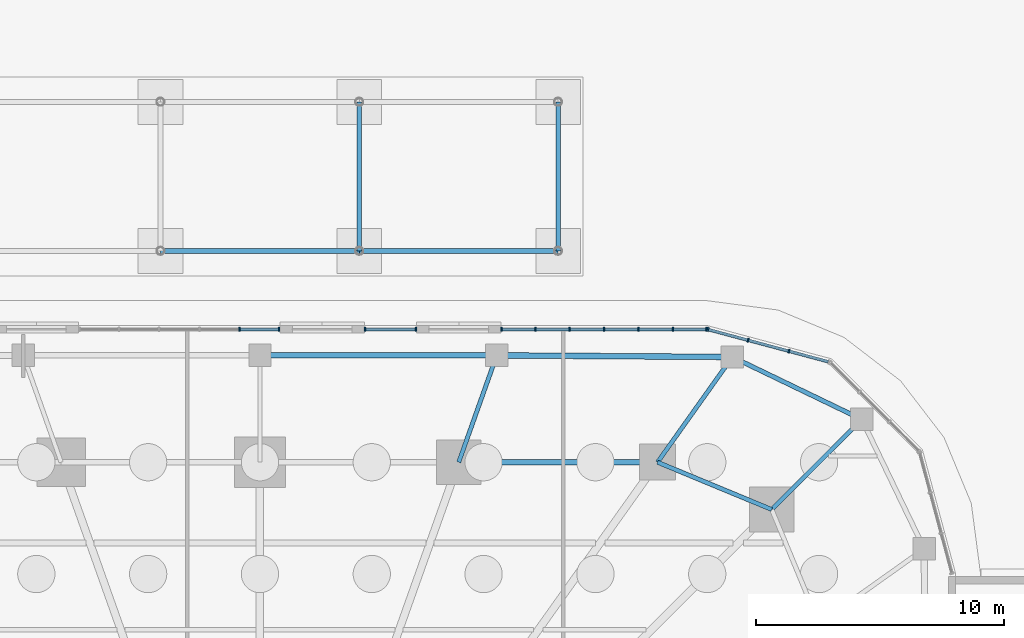
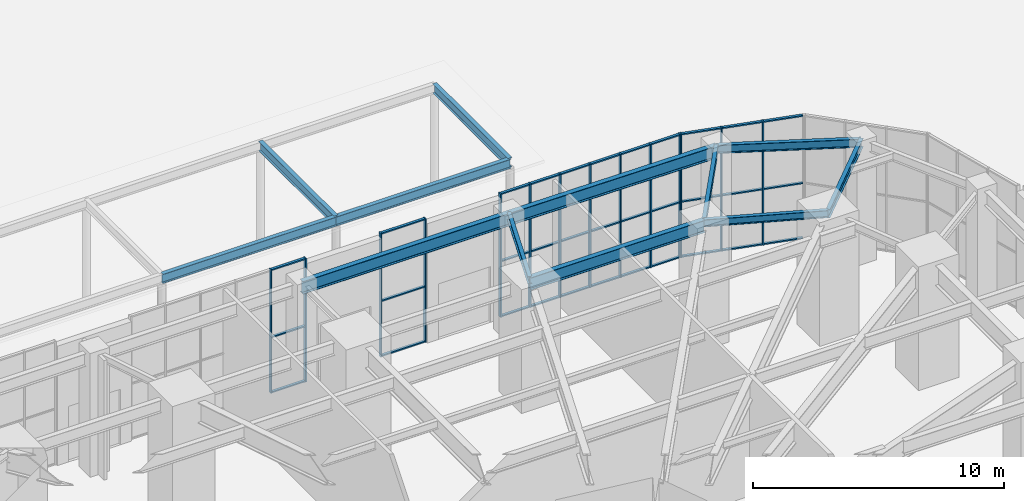
# One storey, part 17 of 43: 47 members, 12 beams, 4 elements without a shape of their own.
"""IFC4 building model written with IfcOpenShell, lengths in metres."""

from ifc_helpers import new_model, si_unit, direction, frame, origin, origin_2d, place, context, subcontext, project, spatial, rectangle, i_section, extrude, material, material_profile, profile_set, type_object, element, aggregate, save


model = new_model("IFC4")

# Units and contexts
model_context = context("Model", 3, precision=1e-05, world=origin(), true_north=direction((0.0, 1.0)))
body_context = subcontext(model_context, "Body", "Model", "MODEL_VIEW")
ifc_project = project(units=[si_unit("LENGTHUNIT", "METRE"), si_unit("AREAUNIT", "SQUARE_METRE"), si_unit("VOLUMEUNIT", "CUBIC_METRE"), si_unit("PLANEANGLEUNIT", "RADIAN"), si_unit("MASSUNIT", "GRAM", prefix="KILO")], contexts=[model_context])

# Site, building, storey
site_placement = place(None, origin())
site = spatial("IfcSite", under=ifc_project, at=site_placement, CompositionType="ELEMENT")
building_placement = place(site_placement, origin())
building = spatial("IfcBuilding", under=site, at=building_placement, Name="Nakasero Lantern House", CompositionType="ELEMENT")
storey_placement = place(building_placement, origin())
storey = spatial("IfcBuildingStorey", under=building, at=storey_placement, Name="L00", CompositionType="ELEMENT", Elevation=0.0)

# Beams
ifc_material_1 = material(Name="Steel S355", Category="steel")
ifc_material_profile_1 = material_profile(ifc_material_1, i_section(OverallWidth=0.18994140625, OverallDepth=0.453369140625, WebThickness=0.008544921875, FlangeThickness=0.0126953125, FilletRadius=0.01025390625, at=origin_2d()), Name="UB 457x191x67")
ifc_profile_set_1 = profile_set([ifc_material_profile_1], Name="Steel S355")
beam_type_1 = type_object("IfcBeamType", Name="Canopy beam UB 457x191x67", PredefinedType="BEAM", material=ifc_profile_set_1)
for number, where, z_axis, x_axis, name in (
    (1, (4.0, 31.0, 4.773193359375), (0.0, 1.0, 0.0), (-1.0, 0.0, 0.0), "Canopy beam 3"),
    (2, (12.0, 31.0, 4.773193359375), (0.0, 1.0, 0.0), (-1.0, 0.0, 0.0), "Canopy beam 4"),
):
    element("IfcBeam", number, at=place(storey_placement, frame(where, z_axis=z_axis, x_axis=x_axis)), inside=storey, type_object=beam_type_1, Name=name, PredefinedType="BEAM", context=body_context, shape_type="SweptSolid", body=[
        extrude(i_section(OverallWidth=0.18994140625, OverallDepth=0.453369140625, WebThickness=0.008544921875, FlangeThickness=0.0126953125, FilletRadius=0.01025390625, at=origin_2d()), origin(), (0.0, 0.0, 1.0), 6.0),
    ])
for number, where, z_axis, x_axis, name in (
    (3, (-4.0, 31.0, 4.773193359375), (1.0, 0.0, 0.0), (0.0, 1.0, 0.0), "Canopy edge beam 1.2"),
    (4, (4.0, 31.0, 4.773193359375), (1.0, 0.0, 0.0), (0.0, 1.0, 0.0), "Canopy edge beam 1.3"),
):
    element("IfcBeam", number, at=place(storey_placement, frame(where, z_axis=z_axis, x_axis=x_axis)), inside=storey, type_object=beam_type_1, Name=name, PredefinedType="BEAM", context=body_context, shape_type="SweptSolid", body=[
        extrude(i_section(OverallWidth=0.18994140625, OverallDepth=0.453369140625, WebThickness=0.008544921875, FlangeThickness=0.0126953125, FilletRadius=0.01025390625, at=origin_2d()), origin(), (0.0, 0.0, 1.0), 8.0),
    ])

# Curtain wall, members
ifc_material_2 = material(Name="Aluminium 6063-T6 and glass", Category="aluminium")
curtain_wall_type = type_object("IfcCurtainWallType", Name="Podium shopfront glazing CW-1", PredefinedType="USERDEFINED", material=ifc_material_2)
curtain_wall_1_placement = place(storey_placement, origin())
curtain_wall_1 = element("IfcCurtainWall", 5, at=curtain_wall_1_placement, inside=storey, type_object=curtain_wall_type, Name="Curtain wall CW-1 L00", ObjectType="STICK CURTAIN WALL", PredefinedType="USERDEFINED")
ifc_material_3 = material(Name="Aluminium 6063-T6", Category="aluminium")
ifc_material_profile_2 = material_profile(ifc_material_3, rectangle(XDim=0.06005859375, YDim=0.159912109375, at=origin_2d()), Name="CW-1 mullion 60x160")
ifc_profile_set_2 = profile_set([ifc_material_profile_2], Name="Aluminium 6063-T6")
member_type_1 = type_object("IfcMemberType", Name="Mullion CW-1", PredefinedType="MULLION", material=ifc_profile_set_2)
member_1_placement = place(storey_placement, frame((21.283447265625, 26.97021484375, 0.0), z_axis=(0.0, 0.0, 1.0), x_axis=(-0.965925826289, 0.258819045103, 0.0)))
member_1 = element("IfcMember", 6, at=member_1_placement, type_object=member_type_1, Name="CW-1 mullion 2", PredefinedType="MULLION", context=body_context, shape_type="SweptSolid", body=[
    extrude(rectangle(XDim=0.06005859375, YDim=0.159912109375, at=origin_2d()), origin(), (0.0, 0.0, 1.0), 6.0),
])
member_2_placement = place(storey_placement, frame((19.6416015625, 27.41015625, 0.0), z_axis=(0.0, 0.0, 1.0), x_axis=(-0.965925826289, 0.258819045103, 0.0)))
member_2 = element("IfcMember", 7, at=member_2_placement, type_object=member_type_1, Name="CW-1 mullion 3", PredefinedType="MULLION", context=body_context, shape_type="SweptSolid", body=[
    extrude(rectangle(XDim=0.06005859375, YDim=0.159912109375, at=origin_2d()), origin(), (0.0, 0.0, 1.0), 6.0),
])
member_3_placement = place(storey_placement, frame((18.029052734375, 27.84228515625, 0.0), z_axis=(0.0, 0.0, 1.0), x_axis=(-0.965925826289, 0.258819045103, 0.0)))
member_3 = element("IfcMember", 8, at=member_3_placement, type_object=member_type_1, Name="CW-1 mullion 4", PredefinedType="MULLION", context=body_context, shape_type="SweptSolid", body=[
    extrude(rectangle(XDim=0.06005859375, YDim=0.159912109375, at=origin_2d()), origin(), (0.0, 0.0, 1.0), 6.0),
])

curtain_wall_2_placement = place(storey_placement, origin())
curtain_wall_2 = element("IfcCurtainWall", 9, at=curtain_wall_2_placement, inside=storey, type_object=curtain_wall_type, Name="Curtain wall CW-1 L00", ObjectType="STICK CURTAIN WALL", PredefinedType="USERDEFINED")
member_4_placement = place(storey_placement, frame((17.969970703125, 27.85009765625, 0.0), z_axis=(0.0, 0.0, 1.0), x_axis=(-1.0, 0.0, 0.0)))
member_4 = element("IfcMember", 10, at=member_4_placement, type_object=member_type_1, Name="CW-1 mullion 1", PredefinedType="MULLION", context=body_context, shape_type="SweptSolid", body=[
    extrude(rectangle(XDim=0.06005859375, YDim=0.159912109375, at=origin_2d()), origin(), (0.0, 0.0, 1.0), 6.0),
])
member_5_placement = place(storey_placement, frame((16.61669921875, 27.85009765625, 0.0), z_axis=(0.0, 0.0, 1.0), x_axis=(-1.0, 0.0, 0.0)))
member_5 = element("IfcMember", 11, at=member_5_placement, type_object=member_type_1, Name="CW-1 mullion 2", PredefinedType="MULLION", context=body_context, shape_type="SweptSolid", body=[
    extrude(rectangle(XDim=0.06005859375, YDim=0.159912109375, at=origin_2d()), origin(), (0.0, 0.0, 1.0), 6.0),
])
member_6_placement = place(storey_placement, frame((15.2333984375, 27.85009765625, 0.0), z_axis=(0.0, 0.0, 1.0), x_axis=(-1.0, 0.0, 0.0)))
member_6 = element("IfcMember", 12, at=member_6_placement, type_object=member_type_1, Name="CW-1 mullion 3", PredefinedType="MULLION", context=body_context, shape_type="SweptSolid", body=[
    extrude(rectangle(XDim=0.06005859375, YDim=0.159912109375, at=origin_2d()), origin(), (0.0, 0.0, 1.0), 6.0),
])
member_7_placement = place(storey_placement, frame((13.85009765625, 27.85009765625, 0.0), z_axis=(0.0, 0.0, 1.0), x_axis=(-1.0, 0.0, 0.0)))
member_7 = element("IfcMember", 13, at=member_7_placement, type_object=member_type_1, Name="CW-1 mullion 4", PredefinedType="MULLION", context=body_context, shape_type="SweptSolid", body=[
    extrude(rectangle(XDim=0.06005859375, YDim=0.159912109375, at=origin_2d()), origin(), (0.0, 0.0, 1.0), 6.0),
])
member_8_placement = place(storey_placement, frame((12.466552734375, 27.85009765625, 0.0), z_axis=(0.0, 0.0, 1.0), x_axis=(-1.0, 0.0, 0.0)))
member_8 = element("IfcMember", 14, at=member_8_placement, type_object=member_type_1, Name="CW-1 mullion 5", PredefinedType="MULLION", context=body_context, shape_type="SweptSolid", body=[
    extrude(rectangle(XDim=0.06005859375, YDim=0.159912109375, at=origin_2d()), origin(), (0.0, 0.0, 1.0), 6.0),
])
member_9_placement = place(storey_placement, frame((11.083251953125, 27.85009765625, 0.0), z_axis=(0.0, 0.0, 1.0), x_axis=(-1.0, 0.0, 0.0)))
member_9 = element("IfcMember", 15, at=member_9_placement, type_object=member_type_1, Name="CW-1 mullion 6", PredefinedType="MULLION", context=body_context, shape_type="SweptSolid", body=[
    extrude(rectangle(XDim=0.06005859375, YDim=0.159912109375, at=origin_2d()), origin(), (0.0, 0.0, 1.0), 6.0),
])
member_10_placement = place(storey_placement, frame((9.72998046875, 27.85009765625, 0.0), z_axis=(0.0, 0.0, 1.0), x_axis=(-1.0, 0.0, 0.0)))
member_10 = element("IfcMember", 16, at=member_10_placement, type_object=member_type_1, Name="CW-1 mullion 7", PredefinedType="MULLION", context=body_context, shape_type="SweptSolid", body=[
    extrude(rectangle(XDim=0.06005859375, YDim=0.159912109375, at=origin_2d()), origin(), (0.0, 0.0, 1.0), 6.0),
])

curtain_wall_3_placement = place(storey_placement, origin())
curtain_wall_3 = element("IfcCurtainWall", 17, at=curtain_wall_3_placement, inside=storey, type_object=curtain_wall_type, Name="Curtain wall CW-1 L00", ObjectType="STICK CURTAIN WALL", PredefinedType="USERDEFINED")
member_11_placement = place(storey_placement, frame((6.27001953125, 27.85009765625, 0.0), z_axis=(0.0, 0.0, 1.0), x_axis=(-1.0, 0.0, 0.0)))
member_11 = element("IfcMember", 18, at=member_11_placement, type_object=member_type_1, Name="CW-1 mullion 1", PredefinedType="MULLION", context=body_context, shape_type="SweptSolid", body=[
    extrude(rectangle(XDim=0.06005859375, YDim=0.159912109375, at=origin_2d()), origin(), (0.0, 0.0, 1.0), 6.0),
])
member_12_placement = place(storey_placement, frame((4.22998046875, 27.85009765625, 0.0), z_axis=(0.0, 0.0, 1.0), x_axis=(-1.0, 0.0, 0.0)))
member_12 = element("IfcMember", 19, at=member_12_placement, type_object=member_type_1, Name="CW-1 mullion 2", PredefinedType="MULLION", context=body_context, shape_type="SweptSolid", body=[
    extrude(rectangle(XDim=0.06005859375, YDim=0.159912109375, at=origin_2d()), origin(), (0.0, 0.0, 1.0), 6.0),
])

curtain_wall_4_placement = place(storey_placement, origin())
curtain_wall_4 = element("IfcCurtainWall", 20, at=curtain_wall_4_placement, inside=storey, type_object=curtain_wall_type, Name="Curtain wall CW-1 L00", ObjectType="STICK CURTAIN WALL", PredefinedType="USERDEFINED")
member_13_placement = place(storey_placement, frame((0.77001953125, 27.85009765625, 0.0), z_axis=(0.0, 0.0, 1.0), x_axis=(-1.0, 0.0, 0.0)))
member_13 = element("IfcMember", 21, at=member_13_placement, type_object=member_type_1, Name="CW-1 mullion 1", PredefinedType="MULLION", context=body_context, shape_type="SweptSolid", body=[
    extrude(rectangle(XDim=0.06005859375, YDim=0.159912109375, at=origin_2d()), origin(), (0.0, 0.0, 1.0), 6.0),
])
member_14_placement = place(storey_placement, frame((-0.820068359375, 27.85009765625, 0.0), z_axis=(0.0, 0.0, 1.0), x_axis=(-1.0, 0.0, 0.0)))
member_14 = element("IfcMember", 22, at=member_14_placement, type_object=member_type_1, Name="CW-1 mullion 2", PredefinedType="MULLION", context=body_context, shape_type="SweptSolid", body=[
    extrude(rectangle(XDim=0.06005859375, YDim=0.159912109375, at=origin_2d()), origin(), (0.0, 0.0, 1.0), 6.0),
])

# Beams
ifc_material_4 = material(Name="Steel S355", Category="steel")
ifc_material_profile_3 = material_profile(ifc_material_4, i_section(OverallWidth=0.17138671875, OverallDepth=0.35498046875, WebThickness=0.00732421875, FlangeThickness=0.011474609375, FilletRadius=0.01025390625, at=origin_2d()), Name="UB 356x171x51")
ifc_profile_set_3 = profile_set([ifc_material_profile_3], Name="Steel S355")
beam_type_2 = type_object("IfcBeamType", Name="Primary beam UB 356x171x51, span to 6 m", PredefinedType="BEAM", material=ifc_profile_set_3)
beam_1_placement = place(storey_placement, frame((19.0107421875, 26.733642578125, 5.62255859375), z_axis=(-0.57954320692, -0.814941514044, 0.0), x_axis=(0.814941514044, -0.57954320692, 0.0)))
element("IfcBeam", 23, at=beam_1_placement, inside=storey, type_object=beam_type_2, Name="Primary beam L01 POD-C07", PredefinedType="BEAM", context=body_context, shape_type="SweptSolid", body=[
    extrude(i_section(OverallWidth=0.17138671875, OverallDepth=0.35498046875, WebThickness=0.00732421875, FlangeThickness=0.011474609375, FilletRadius=0.01025390625, at=origin_2d()), origin(), (0.0, 0.0, 1.0), 5.195068359375),
])
beam_2_placement = place(storey_placement, frame((9.52880859375, 26.800048828125, 5.62255859375), z_axis=(-0.334990670833, -0.942221444489, 0.0), x_axis=(0.942221444489, -0.334990670833, 0.0)))
element("IfcBeam", 24, at=beam_2_placement, inside=storey, type_object=beam_type_2, Name="Primary beam L01 POD-C08", PredefinedType="BEAM", context=body_context, shape_type="SweptSolid", body=[
    extrude(i_section(OverallWidth=0.17138671875, OverallDepth=0.35498046875, WebThickness=0.00732421875, FlangeThickness=0.011474609375, FilletRadius=0.01025390625, at=origin_2d()), origin(), (0.0, 0.0, 1.0), 4.563720703125),
])
ifc_material_5 = material(Name="Steel S355", Category="steel")
ifc_material_profile_4 = material_profile(ifc_material_5, i_section(OverallWidth=0.177978515625, OverallDepth=0.406494140625, WebThickness=0.0078125, FlangeThickness=0.0126953125, FilletRadius=0.01025390625, at=origin_2d()), Name="UB 406x178x60")
ifc_profile_set_4 = profile_set([ifc_material_profile_4], Name="Steel S355")
beam_type_3 = type_object("IfcBeamType", Name="Primary beam UB 406x178x60, span to 6 m", PredefinedType="BEAM", material=ifc_profile_set_4)
beam_3_placement = place(storey_placement, frame((24.22265625, 24.22265625, 5.5966796875), z_axis=(-0.707106781187, -0.707106781187, 0.0), x_axis=(0.707106781187, -0.707106781187, 0.0)))
element("IfcBeam", 25, at=beam_3_placement, inside=storey, type_object=beam_type_3, Name="Primary beam L01 POD-C06", PredefinedType="BEAM", context=body_context, shape_type="SweptSolid", body=[
    extrude(i_section(OverallWidth=0.177978515625, OverallDepth=0.406494140625, WebThickness=0.0078125, FlangeThickness=0.0126953125, FilletRadius=0.01025390625, at=origin_2d()), origin(), (0.0, 0.0, 1.0), 5.128662109375),
])
ifc_material_6 = material(Name="Steel S355", Category="steel")
ifc_material_profile_5 = material_profile(ifc_material_6, i_section(OverallWidth=0.17138671875, OverallDepth=0.35498046875, WebThickness=0.00732421875, FlangeThickness=0.011474609375, FilletRadius=0.01025390625, at=origin_2d()), Name="UB 356x171x51")
ifc_profile_set_5 = profile_set([ifc_material_profile_5], Name="Steel S355")
beam_type_4 = type_object("IfcBeamType", Name="Ring beam UB 356x171x51", PredefinedType="BEAM", material=ifc_profile_set_5)
beam_4_placement = place(storey_placement, frame((20.59619140625, 20.59619140625, 5.62255859375), z_axis=(-0.923879264016, 0.382684080569, 0.0), x_axis=(-0.382684080569, -0.923879264016, 0.0)))
element("IfcBeam", 26, at=beam_4_placement, inside=storey, type_object=beam_type_4, Name="Ring beam L01 B1-C06", PredefinedType="BEAM", context=body_context, shape_type="SweptSolid", body=[
    extrude(i_section(OverallWidth=0.17138671875, OverallDepth=0.35498046875, WebThickness=0.00732421875, FlangeThickness=0.011474609375, FilletRadius=0.01025390625, at=origin_2d()), origin(), (0.0, 0.0, 1.0), 4.974853515625),
])
ifc_material_7 = material(Name="Steel S355", Category="steel")
ifc_material_profile_6 = material_profile(ifc_material_7, i_section(OverallWidth=0.177978515625, OverallDepth=0.406494140625, WebThickness=0.0078125, FlangeThickness=0.0126953125, FilletRadius=0.01025390625, at=origin_2d()), Name="UB 406x178x60")
ifc_profile_set_6 = profile_set([ifc_material_profile_6], Name="Steel S355")
beam_type_5 = type_object("IfcBeamType", Name="Ring beam UB 406x178x60", PredefinedType="BEAM", material=ifc_profile_set_6)
beam_5_placement = place(storey_placement, frame((24.22265625, 24.22265625, 5.5966796875), z_axis=(-0.900897176145, 0.434032577134, 0.0), x_axis=(-0.434032577134, -0.900897176145, 0.0)))
element("IfcBeam", 27, at=beam_5_placement, inside=storey, type_object=beam_type_5, Name="Ring beam L01 POD-C06", PredefinedType="BEAM", context=body_context, shape_type="SweptSolid", body=[
    extrude(i_section(OverallWidth=0.177978515625, OverallDepth=0.406494140625, WebThickness=0.0078125, FlangeThickness=0.0126953125, FilletRadius=0.01025390625, at=origin_2d()), origin(), (0.0, 0.0, 1.0), 5.78515625),
])
ifc_material_8 = material(Name="Steel S355", Category="steel")
ifc_material_profile_7 = material_profile(ifc_material_8, i_section(OverallWidth=0.2275390625, OverallDepth=0.6025390625, WebThickness=0.010498046875, FlangeThickness=0.014892578125, FilletRadius=0.0126953125, at=origin_2d()), Name="UB 610x229x101")
ifc_profile_set_7 = profile_set([ifc_material_profile_7], Name="Steel S355")
beam_type_6 = type_object("IfcBeamType", Name="Ring beam UB 610x229x101", PredefinedType="BEAM", material=ifc_profile_set_7)
beam_6_placement = place(storey_placement, frame((16.0, 22.5, 5.498779296875), z_axis=(-1.0, 0.0, 0.0), x_axis=(0.0, -1.0, 0.0)))
element("IfcBeam", 28, at=beam_6_placement, inside=storey, type_object=beam_type_6, Name="Ring beam L01 B1-C07", PredefinedType="BEAM", context=body_context, shape_type="SweptSolid", body=[
    extrude(i_section(OverallWidth=0.2275390625, OverallDepth=0.6025390625, WebThickness=0.010498046875, FlangeThickness=0.014892578125, FilletRadius=0.0126953125, at=origin_2d()), origin(), (0.0, 0.0, 1.0), 8.0),
])
ifc_material_9 = material(Name="Steel S355", Category="steel")
ifc_material_profile_8 = material_profile(ifc_material_9, i_section(OverallWidth=0.22900390625, OverallDepth=0.6123046875, WebThickness=0.011962890625, FlangeThickness=0.01953125, FilletRadius=0.0126953125, at=origin_2d()), Name="UB 610x229x125")
ifc_profile_set_8 = profile_set([ifc_material_profile_8], Name="Steel S355")
beam_type_7 = type_object("IfcBeamType", Name="Ring beam UB 610x229x125", PredefinedType="BEAM", material=ifc_profile_set_8)
beam_7_placement = place(storey_placement, frame((19.0107421875, 26.733642578125, 5.493896484375), z_axis=(-0.999975476745, 0.007003278482, 0.0), x_axis=(-0.007003278482, -0.999975476745, 0.0)))
element("IfcBeam", 29, at=beam_7_placement, inside=storey, type_object=beam_type_7, Name="Ring beam L01 POD-C07", PredefinedType="BEAM", context=body_context, shape_type="SweptSolid", body=[
    extrude(i_section(OverallWidth=0.22900390625, OverallDepth=0.6123046875, WebThickness=0.011962890625, FlangeThickness=0.01953125, FilletRadius=0.0126953125, at=origin_2d()), origin(), (0.0, 0.0, 1.0), 9.482177734375),
])
beam_8_placement = place(storey_placement, frame((9.52880859375, 26.800048828125, 5.493896484375), z_axis=(-1.0, 0.0, 0.0), x_axis=(0.0, -1.0, 0.0)))
element("IfcBeam", 30, at=beam_8_placement, inside=storey, type_object=beam_type_7, Name="Ring beam L01 POD-C08", PredefinedType="BEAM", context=body_context, shape_type="SweptSolid", body=[
    extrude(i_section(OverallWidth=0.22900390625, OverallDepth=0.6123046875, WebThickness=0.011962890625, FlangeThickness=0.01953125, FilletRadius=0.0126953125, at=origin_2d()), origin(), (0.0, 0.0, 1.0), 9.52880859375),
])

# Member
ifc_material_10 = material(Name="Aluminium 6063-T6", Category="aluminium")
ifc_material_profile_9 = material_profile(ifc_material_10, rectangle(XDim=0.06005859375, YDim=0.1201171875, at=origin_2d()), Name="CW-1 transom 60x120")
ifc_profile_set_9 = profile_set([ifc_material_profile_9], Name="Aluminium 6063-T6")
member_type_2 = type_object("IfcMemberType", Name="Transom CW-1", PredefinedType="USERDEFINED", material=ifc_profile_set_9)
member_15_placement = place(storey_placement, frame((22.866943359375, 26.5458984375, 0.030029296875), z_axis=(-0.965937219158, 0.258776522595, 0.0), x_axis=(0.0, 0.0, 1.0)))
member_15 = element("IfcMember", 31, at=member_15_placement, type_object=member_type_2, Name="CW-1 transom 1.1", ObjectType="TRANSOM", PredefinedType="USERDEFINED", context=body_context, shape_type="SweptSolid", body=[
    extrude(rectangle(XDim=0.06005859375, YDim=0.1201171875, at=origin_2d()), origin(), (0.0, 0.0, 1.0), 1.609619140625),
])

member_16_placement = place(storey_placement, frame((22.866943359375, 26.5458984375, 2.699951171875), z_axis=(-0.965937219158, 0.258776522595, 0.0), x_axis=(0.0, 0.0, 1.0)))
member_16 = element("IfcMember", 32, at=member_16_placement, type_object=member_type_2, Name="CW-1 transom 1.2", ObjectType="TRANSOM", PredefinedType="USERDEFINED", context=body_context, shape_type="SweptSolid", body=[
    extrude(rectangle(XDim=0.06005859375, YDim=0.1201171875, at=origin_2d()), origin(), (0.0, 0.0, 1.0), 1.609619140625),
])

member_17_placement = place(storey_placement, frame((22.866943359375, 26.5458984375, 5.969970703125), z_axis=(-0.965937219158, 0.258776522595, 0.0), x_axis=(0.0, 0.0, 1.0)))
member_17 = element("IfcMember", 33, at=member_17_placement, type_object=member_type_2, Name="CW-1 transom 1.3", ObjectType="TRANSOM", PredefinedType="USERDEFINED", context=body_context, shape_type="SweptSolid", body=[
    extrude(rectangle(XDim=0.06005859375, YDim=0.1201171875, at=origin_2d()), origin(), (0.0, 0.0, 1.0), 1.609619140625),
])

member_18_placement = place(storey_placement, frame((21.25439453125, 26.97802734375, 0.030029296875), z_axis=(-0.965932765235, 0.258793147214, 0.0), x_axis=(0.0, 0.0, 1.0)))
member_18 = element("IfcMember", 34, at=member_18_placement, type_object=member_type_2, Name="CW-1 transom 2.1", ObjectType="TRANSOM", PredefinedType="USERDEFINED", context=body_context, shape_type="SweptSolid", body=[
    extrude(rectangle(XDim=0.06005859375, YDim=0.1201171875, at=origin_2d()), origin(), (0.0, 0.0, 1.0), 1.6396484375),
])

member_19_placement = place(storey_placement, frame((21.25439453125, 26.97802734375, 2.699951171875), z_axis=(-0.965932765235, 0.258793147214, 0.0), x_axis=(0.0, 0.0, 1.0)))
member_19 = element("IfcMember", 35, at=member_19_placement, type_object=member_type_2, Name="CW-1 transom 2.2", ObjectType="TRANSOM", PredefinedType="USERDEFINED", context=body_context, shape_type="SweptSolid", body=[
    extrude(rectangle(XDim=0.06005859375, YDim=0.1201171875, at=origin_2d()), origin(), (0.0, 0.0, 1.0), 1.6396484375),
])

member_20_placement = place(storey_placement, frame((21.25439453125, 26.97802734375, 5.969970703125), z_axis=(-0.965932765235, 0.258793147214, 0.0), x_axis=(0.0, 0.0, 1.0)))
member_20 = element("IfcMember", 36, at=member_20_placement, type_object=member_type_2, Name="CW-1 transom 2.3", ObjectType="TRANSOM", PredefinedType="USERDEFINED", context=body_context, shape_type="SweptSolid", body=[
    extrude(rectangle(XDim=0.06005859375, YDim=0.1201171875, at=origin_2d()), origin(), (0.0, 0.0, 1.0), 1.6396484375),
])

member_21_placement = place(storey_placement, frame((19.61279296875, 27.41796875, 0.030029296875), z_axis=(-0.96594737463, 0.258738612203, 0.0), x_axis=(0.0, 0.0, 1.0)))
member_21 = element("IfcMember", 37, at=member_21_placement, type_object=member_type_2, Name="CW-1 transom 3.1", ObjectType="TRANSOM", PredefinedType="USERDEFINED", context=body_context, shape_type="SweptSolid", body=[
    extrude(rectangle(XDim=0.06005859375, YDim=0.1201171875, at=origin_2d()), origin(), (0.0, 0.0, 1.0), 1.60986328125),
])

member_22_placement = place(storey_placement, frame((19.61279296875, 27.41796875, 2.699951171875), z_axis=(-0.96594737463, 0.258738612203, 0.0), x_axis=(0.0, 0.0, 1.0)))
member_22 = element("IfcMember", 38, at=member_22_placement, type_object=member_type_2, Name="CW-1 transom 3.2", ObjectType="TRANSOM", PredefinedType="USERDEFINED", context=body_context, shape_type="SweptSolid", body=[
    extrude(rectangle(XDim=0.06005859375, YDim=0.1201171875, at=origin_2d()), origin(), (0.0, 0.0, 1.0), 1.60986328125),
])

member_23_placement = place(storey_placement, frame((19.61279296875, 27.41796875, 5.969970703125), z_axis=(-0.96594737463, 0.258738612203, 0.0), x_axis=(0.0, 0.0, 1.0)))
member_23 = element("IfcMember", 39, at=member_23_placement, type_object=member_type_2, Name="CW-1 transom 3.3", ObjectType="TRANSOM", PredefinedType="USERDEFINED", context=body_context, shape_type="SweptSolid", body=[
    extrude(rectangle(XDim=0.06005859375, YDim=0.1201171875, at=origin_2d()), origin(), (0.0, 0.0, 1.0), 1.60986328125),
])

aggregate(curtain_wall_1, [member_1, member_2, member_3, member_15, member_16, member_17, member_18, member_19, member_20, member_21, member_22, member_23])

member_24_placement = place(storey_placement, frame((17.93994140625, 27.85009765625, 0.030029296875), z_axis=(-1.0, 0.0, 0.0), x_axis=(0.0, 0.0, 1.0)))
member_24 = element("IfcMember", 40, at=member_24_placement, type_object=member_type_2, Name="CW-1 transom 1.1", ObjectType="TRANSOM", PredefinedType="USERDEFINED", context=body_context, shape_type="SweptSolid", body=[
    extrude(rectangle(XDim=0.06005859375, YDim=0.1201171875, at=origin_2d()), origin(), (0.0, 0.0, 1.0), 1.293212890625),
])

member_25_placement = place(storey_placement, frame((17.93994140625, 27.85009765625, 2.699951171875), z_axis=(-1.0, 0.0, 0.0), x_axis=(0.0, 0.0, 1.0)))
member_25 = element("IfcMember", 41, at=member_25_placement, type_object=member_type_2, Name="CW-1 transom 1.2", ObjectType="TRANSOM", PredefinedType="USERDEFINED", context=body_context, shape_type="SweptSolid", body=[
    extrude(rectangle(XDim=0.06005859375, YDim=0.1201171875, at=origin_2d()), origin(), (0.0, 0.0, 1.0), 1.293212890625),
])

member_26_placement = place(storey_placement, frame((17.93994140625, 27.85009765625, 5.969970703125), z_axis=(-1.0, 0.0, 0.0), x_axis=(0.0, 0.0, 1.0)))
member_26 = element("IfcMember", 42, at=member_26_placement, type_object=member_type_2, Name="CW-1 transom 1.3", ObjectType="TRANSOM", PredefinedType="USERDEFINED", context=body_context, shape_type="SweptSolid", body=[
    extrude(rectangle(XDim=0.06005859375, YDim=0.1201171875, at=origin_2d()), origin(), (0.0, 0.0, 1.0), 1.293212890625),
])

member_27_placement = place(storey_placement, frame((16.586669921875, 27.85009765625, 0.030029296875), z_axis=(-1.0, 0.0, 0.0), x_axis=(0.0, 0.0, 1.0)))
member_27 = element("IfcMember", 43, at=member_27_placement, type_object=member_type_2, Name="CW-1 transom 2.1", ObjectType="TRANSOM", PredefinedType="USERDEFINED", context=body_context, shape_type="SweptSolid", body=[
    extrude(rectangle(XDim=0.06005859375, YDim=0.1201171875, at=origin_2d()), origin(), (0.0, 0.0, 1.0), 1.3232421875),
])

member_28_placement = place(storey_placement, frame((16.586669921875, 27.85009765625, 2.699951171875), z_axis=(-1.0, 0.0, 0.0), x_axis=(0.0, 0.0, 1.0)))
member_28 = element("IfcMember", 44, at=member_28_placement, type_object=member_type_2, Name="CW-1 transom 2.2", ObjectType="TRANSOM", PredefinedType="USERDEFINED", context=body_context, shape_type="SweptSolid", body=[
    extrude(rectangle(XDim=0.06005859375, YDim=0.1201171875, at=origin_2d()), origin(), (0.0, 0.0, 1.0), 1.3232421875),
])

member_29_placement = place(storey_placement, frame((16.586669921875, 27.85009765625, 5.969970703125), z_axis=(-1.0, 0.0, 0.0), x_axis=(0.0, 0.0, 1.0)))
member_29 = element("IfcMember", 45, at=member_29_placement, type_object=member_type_2, Name="CW-1 transom 2.3", ObjectType="TRANSOM", PredefinedType="USERDEFINED", context=body_context, shape_type="SweptSolid", body=[
    extrude(rectangle(XDim=0.06005859375, YDim=0.1201171875, at=origin_2d()), origin(), (0.0, 0.0, 1.0), 1.3232421875),
])

member_30_placement = place(storey_placement, frame((15.203369140625, 27.85009765625, 0.030029296875), z_axis=(-1.0, 0.0, 0.0), x_axis=(0.0, 0.0, 1.0)))
member_30 = element("IfcMember", 46, at=member_30_placement, type_object=member_type_2, Name="CW-1 transom 3.1", ObjectType="TRANSOM", PredefinedType="USERDEFINED", context=body_context, shape_type="SweptSolid", body=[
    extrude(rectangle(XDim=0.06005859375, YDim=0.1201171875, at=origin_2d()), origin(), (0.0, 0.0, 1.0), 1.323486328125),
])

member_31_placement = place(storey_placement, frame((15.203369140625, 27.85009765625, 2.699951171875), z_axis=(-1.0, 0.0, 0.0), x_axis=(0.0, 0.0, 1.0)))
member_31 = element("IfcMember", 47, at=member_31_placement, type_object=member_type_2, Name="CW-1 transom 3.2", ObjectType="TRANSOM", PredefinedType="USERDEFINED", context=body_context, shape_type="SweptSolid", body=[
    extrude(rectangle(XDim=0.06005859375, YDim=0.1201171875, at=origin_2d()), origin(), (0.0, 0.0, 1.0), 1.323486328125),
])

member_32_placement = place(storey_placement, frame((15.203369140625, 27.85009765625, 5.969970703125), z_axis=(-1.0, 0.0, 0.0), x_axis=(0.0, 0.0, 1.0)))
member_32 = element("IfcMember", 48, at=member_32_placement, type_object=member_type_2, Name="CW-1 transom 3.3", ObjectType="TRANSOM", PredefinedType="USERDEFINED", context=body_context, shape_type="SweptSolid", body=[
    extrude(rectangle(XDim=0.06005859375, YDim=0.1201171875, at=origin_2d()), origin(), (0.0, 0.0, 1.0), 1.323486328125),
])

member_33_placement = place(storey_placement, frame((13.820068359375, 27.85009765625, 0.030029296875), z_axis=(-1.0, 0.0, 0.0), x_axis=(0.0, 0.0, 1.0)))
member_33 = element("IfcMember", 49, at=member_33_placement, type_object=member_type_2, Name="CW-1 transom 4.1", ObjectType="TRANSOM", PredefinedType="USERDEFINED", context=body_context, shape_type="SweptSolid", body=[
    extrude(rectangle(XDim=0.06005859375, YDim=0.1201171875, at=origin_2d()), origin(), (0.0, 0.0, 1.0), 1.323486328125),
])

member_34_placement = place(storey_placement, frame((13.820068359375, 27.85009765625, 2.699951171875), z_axis=(-1.0, 0.0, 0.0), x_axis=(0.0, 0.0, 1.0)))
member_34 = element("IfcMember", 50, at=member_34_placement, type_object=member_type_2, Name="CW-1 transom 4.2", ObjectType="TRANSOM", PredefinedType="USERDEFINED", context=body_context, shape_type="SweptSolid", body=[
    extrude(rectangle(XDim=0.06005859375, YDim=0.1201171875, at=origin_2d()), origin(), (0.0, 0.0, 1.0), 1.323486328125),
])

member_35_placement = place(storey_placement, frame((13.820068359375, 27.85009765625, 5.969970703125), z_axis=(-1.0, 0.0, 0.0), x_axis=(0.0, 0.0, 1.0)))
member_35 = element("IfcMember", 51, at=member_35_placement, type_object=member_type_2, Name="CW-1 transom 4.3", ObjectType="TRANSOM", PredefinedType="USERDEFINED", context=body_context, shape_type="SweptSolid", body=[
    extrude(rectangle(XDim=0.06005859375, YDim=0.1201171875, at=origin_2d()), origin(), (0.0, 0.0, 1.0), 1.323486328125),
])

member_36_placement = place(storey_placement, frame((12.436767578125, 27.85009765625, 0.030029296875), z_axis=(-1.0, 0.0, 0.0), x_axis=(0.0, 0.0, 1.0)))
member_36 = element("IfcMember", 52, at=member_36_placement, type_object=member_type_2, Name="CW-1 transom 5.1", ObjectType="TRANSOM", PredefinedType="USERDEFINED", context=body_context, shape_type="SweptSolid", body=[
    extrude(rectangle(XDim=0.06005859375, YDim=0.1201171875, at=origin_2d()), origin(), (0.0, 0.0, 1.0), 1.323486328125),
])

member_37_placement = place(storey_placement, frame((12.436767578125, 27.85009765625, 2.699951171875), z_axis=(-1.0, 0.0, 0.0), x_axis=(0.0, 0.0, 1.0)))
member_37 = element("IfcMember", 53, at=member_37_placement, type_object=member_type_2, Name="CW-1 transom 5.2", ObjectType="TRANSOM", PredefinedType="USERDEFINED", context=body_context, shape_type="SweptSolid", body=[
    extrude(rectangle(XDim=0.06005859375, YDim=0.1201171875, at=origin_2d()), origin(), (0.0, 0.0, 1.0), 1.323486328125),
])

member_38_placement = place(storey_placement, frame((12.436767578125, 27.85009765625, 5.969970703125), z_axis=(-1.0, 0.0, 0.0), x_axis=(0.0, 0.0, 1.0)))
member_38 = element("IfcMember", 54, at=member_38_placement, type_object=member_type_2, Name="CW-1 transom 5.3", ObjectType="TRANSOM", PredefinedType="USERDEFINED", context=body_context, shape_type="SweptSolid", body=[
    extrude(rectangle(XDim=0.06005859375, YDim=0.1201171875, at=origin_2d()), origin(), (0.0, 0.0, 1.0), 1.323486328125),
])

member_39_placement = place(storey_placement, frame((11.05322265625, 27.85009765625, 0.030029296875), z_axis=(-1.0, 0.0, 0.0), x_axis=(0.0, 0.0, 1.0)))
member_39 = element("IfcMember", 55, at=member_39_placement, type_object=member_type_2, Name="CW-1 transom 6.1", ObjectType="TRANSOM", PredefinedType="USERDEFINED", context=body_context, shape_type="SweptSolid", body=[
    extrude(rectangle(XDim=0.06005859375, YDim=0.1201171875, at=origin_2d()), origin(), (0.0, 0.0, 1.0), 1.293212890625),
])

member_40_placement = place(storey_placement, frame((11.05322265625, 27.85009765625, 2.699951171875), z_axis=(-1.0, 0.0, 0.0), x_axis=(0.0, 0.0, 1.0)))
member_40 = element("IfcMember", 56, at=member_40_placement, type_object=member_type_2, Name="CW-1 transom 6.2", ObjectType="TRANSOM", PredefinedType="USERDEFINED", context=body_context, shape_type="SweptSolid", body=[
    extrude(rectangle(XDim=0.06005859375, YDim=0.1201171875, at=origin_2d()), origin(), (0.0, 0.0, 1.0), 1.293212890625),
])

member_41_placement = place(storey_placement, frame((11.05322265625, 27.85009765625, 5.969970703125), z_axis=(-1.0, 0.0, 0.0), x_axis=(0.0, 0.0, 1.0)))
member_41 = element("IfcMember", 57, at=member_41_placement, type_object=member_type_2, Name="CW-1 transom 6.3", ObjectType="TRANSOM", PredefinedType="USERDEFINED", context=body_context, shape_type="SweptSolid", body=[
    extrude(rectangle(XDim=0.06005859375, YDim=0.1201171875, at=origin_2d()), origin(), (0.0, 0.0, 1.0), 1.293212890625),
])

aggregate(curtain_wall_2, [member_4, member_5, member_6, member_7, member_8, member_9, member_10, member_24, member_25, member_26, member_27, member_28, member_29, member_30, member_31, member_32, member_33, member_34, member_35, member_36, member_37, member_38, member_39, member_40, member_41])

member_42_placement = place(storey_placement, frame((6.239990234375, 27.85009765625, 0.030029296875), z_axis=(-1.0, 0.0, 0.0), x_axis=(0.0, 0.0, 1.0)))
member_42 = element("IfcMember", 58, at=member_42_placement, type_object=member_type_2, Name="CW-1 transom 1.1", ObjectType="TRANSOM", PredefinedType="USERDEFINED", context=body_context, shape_type="SweptSolid", body=[
    extrude(rectangle(XDim=0.06005859375, YDim=0.1201171875, at=origin_2d()), origin(), (0.0, 0.0, 1.0), 1.97998046875),
])

member_43_placement = place(storey_placement, frame((6.239990234375, 27.85009765625, 2.699951171875), z_axis=(-1.0, 0.0, 0.0), x_axis=(0.0, 0.0, 1.0)))
member_43 = element("IfcMember", 59, at=member_43_placement, type_object=member_type_2, Name="CW-1 transom 1.2", ObjectType="TRANSOM", PredefinedType="USERDEFINED", context=body_context, shape_type="SweptSolid", body=[
    extrude(rectangle(XDim=0.06005859375, YDim=0.1201171875, at=origin_2d()), origin(), (0.0, 0.0, 1.0), 1.97998046875),
])

member_44_placement = place(storey_placement, frame((6.239990234375, 27.85009765625, 5.969970703125), z_axis=(-1.0, 0.0, 0.0), x_axis=(0.0, 0.0, 1.0)))
member_44 = element("IfcMember", 60, at=member_44_placement, type_object=member_type_2, Name="CW-1 transom 1.3", ObjectType="TRANSOM", PredefinedType="USERDEFINED", context=body_context, shape_type="SweptSolid", body=[
    extrude(rectangle(XDim=0.06005859375, YDim=0.1201171875, at=origin_2d()), origin(), (0.0, 0.0, 1.0), 1.97998046875),
])

aggregate(curtain_wall_3, [member_11, member_12, member_42, member_43, member_44])

member_45_placement = place(storey_placement, frame((0.739990234375, 27.85009765625, 0.030029296875), z_axis=(-1.0, 0.0, 0.0), x_axis=(0.0, 0.0, 1.0)))
member_45 = element("IfcMember", 61, at=member_45_placement, type_object=member_type_2, Name="CW-1 transom 1.1", ObjectType="TRANSOM", PredefinedType="USERDEFINED", context=body_context, shape_type="SweptSolid", body=[
    extrude(rectangle(XDim=0.06005859375, YDim=0.1201171875, at=origin_2d()), origin(), (0.0, 0.0, 1.0), 1.530029296875),
])

member_46_placement = place(storey_placement, frame((0.739990234375, 27.85009765625, 2.699951171875), z_axis=(-1.0, 0.0, 0.0), x_axis=(0.0, 0.0, 1.0)))
member_46 = element("IfcMember", 62, at=member_46_placement, type_object=member_type_2, Name="CW-1 transom 1.2", ObjectType="TRANSOM", PredefinedType="USERDEFINED", context=body_context, shape_type="SweptSolid", body=[
    extrude(rectangle(XDim=0.06005859375, YDim=0.1201171875, at=origin_2d()), origin(), (0.0, 0.0, 1.0), 1.530029296875),
])

member_47_placement = place(storey_placement, frame((0.739990234375, 27.85009765625, 5.969970703125), z_axis=(-1.0, 0.0, 0.0), x_axis=(0.0, 0.0, 1.0)))
member_47 = element("IfcMember", 63, at=member_47_placement, type_object=member_type_2, Name="CW-1 transom 1.3", ObjectType="TRANSOM", PredefinedType="USERDEFINED", context=body_context, shape_type="SweptSolid", body=[
    extrude(rectangle(XDim=0.06005859375, YDim=0.1201171875, at=origin_2d()), origin(), (0.0, 0.0, 1.0), 1.530029296875),
])

aggregate(curtain_wall_4, [member_13, member_14, member_45, member_46, member_47])

save(model, "model.ifc")
